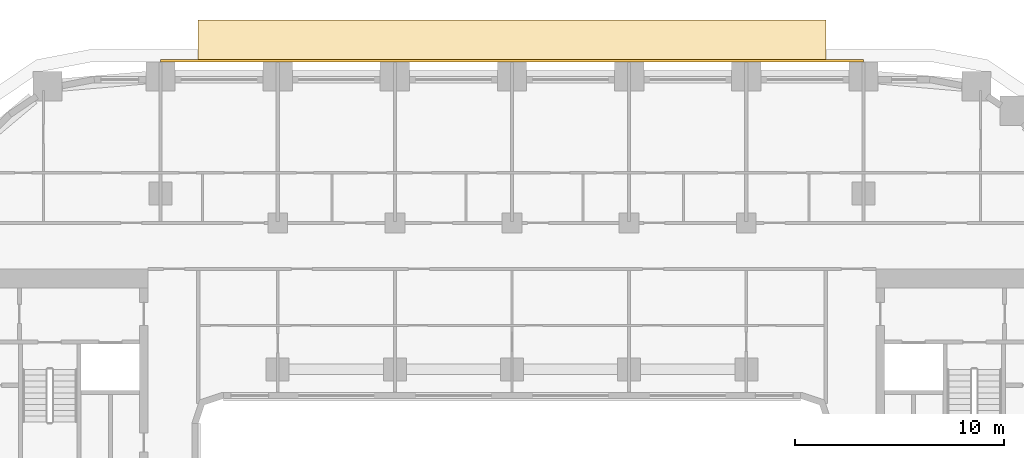
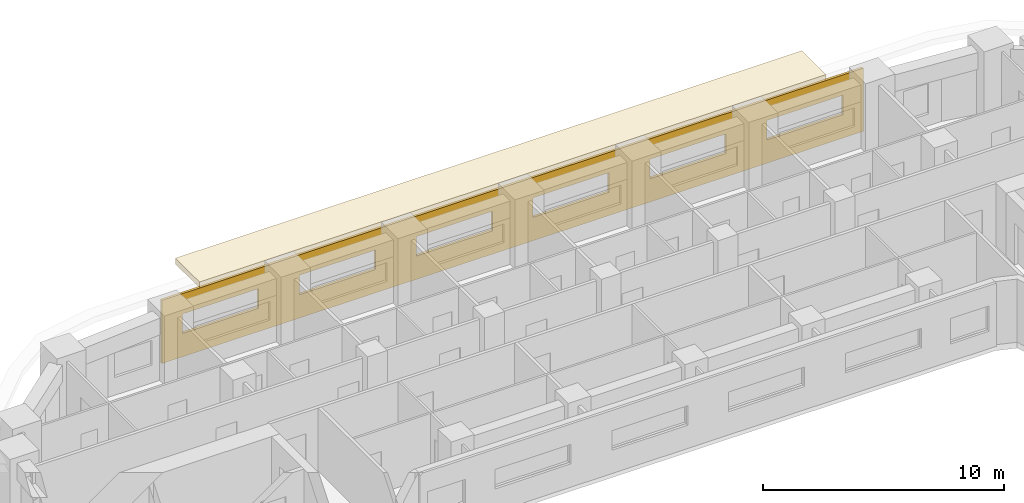
# One storey, part 21 of 22: 2 coverings.
"""IFC4 building model written with IfcOpenShell, lengths in metres."""

from ifc_helpers import new_model, si_unit, direction, frame, origin, place, context, subcontext, project, spatial, polyline, outline, extrude, material, layer, layer_set, type_object, element, save


model = new_model("IFC4")

# Units and contexts
model_context = context("Model", 3, precision=1e-05, world=origin(), true_north=direction((0.0, 1.0)))
body_context = subcontext(model_context, "Body", "Model", "MODEL_VIEW")
ifc_project = project(units=[si_unit("LENGTHUNIT", "METRE"), si_unit("AREAUNIT", "SQUARE_METRE"), si_unit("VOLUMEUNIT", "CUBIC_METRE"), si_unit("PLANEANGLEUNIT", "RADIAN"), si_unit("MASSUNIT", "GRAM", prefix="KILO")], contexts=[model_context])

# Site, building, storey
site_placement = place(None, origin())
site = spatial("IfcSite", under=ifc_project, at=site_placement, CompositionType="ELEMENT")
building_placement = place(site_placement, origin())
building = spatial("IfcBuilding", under=site, at=building_placement, Name="Kiln Ring Residences", CompositionType="ELEMENT")
storey_placement = place(building_placement, frame((0.0, 0.0, 65.5)))
storey = spatial("IfcBuildingStorey", under=building, at=storey_placement, Name="L16", CompositionType="ELEMENT", Elevation=65.5)

# Coverings
ifc_material_1 = material(Name="Brick masonry, dark clay brick", Category="masonry")
ifc_layer_1 = layer(ifc_material_1, 0.1201171875)
ifc_layer_set_1 = layer_set([ifc_layer_1], Name="RAINSCREEN PANEL 120")
covering_type_1 = type_object("IfcCoveringType", Name="RAINSCREEN PANEL 120", PredefinedType="CLADDING", material=ifc_layer_set_1)
covering_1_placement = place(storey_placement, frame((16.800048828125, 23.159912109375, 0.0), z_axis=(0.0, 0.0, 1.0), x_axis=(-1.0, 0.0, 0.0)))
element("IfcCovering", 1, at=covering_1_placement, inside=storey, type_object=covering_type_1, Name="RAINSCREEN L16", PredefinedType="CLADDING", context=body_context, shape_type="SweptSolid", body=[
    extrude(outline(polyline([(0.0, 0.0), (33.60009765625, 0.0), (33.60009765625, 3.199951171875), (0.0, 3.199951171875), (0.0, 0.0)]), holes=[polyline([(4.6201171875, 1.179931640625), (4.6201171875, 2.169921875), (0.97998046875, 2.169921875), (0.97998046875, 1.179931640625), (4.6201171875, 1.179931640625)]), polyline([(6.580078125, 1.179931640625), (10.219970703125, 1.179931640625), (10.219970703125, 2.169921875), (6.580078125, 2.169921875), (6.580078125, 1.179931640625)]), polyline([(12.179931640625, 1.179931640625), (15.820068359375, 1.179931640625), (15.820068359375, 2.169921875), (12.179931640625, 2.169921875), (12.179931640625, 1.179931640625)]), polyline([(21.419921875, 1.179931640625), (21.419921875, 2.169921875), (17.780029296875, 2.169921875), (17.780029296875, 1.179931640625), (21.419921875, 1.179931640625)]), polyline([(23.3798828125, 1.179931640625), (27.02001953125, 1.179931640625), (27.02001953125, 2.169921875), (23.3798828125, 2.169921875), (23.3798828125, 1.179931640625)]), polyline([(28.97998046875, 1.179931640625), (32.6201171875, 1.179931640625), (32.6201171875, 2.169921875), (28.97998046875, 2.169921875), (28.97998046875, 1.179931640625)])]), frame((0.0, 0.06005859375, 0.0), z_axis=(0.0, -1.0, 0.0), x_axis=(1.0, 0.0, 0.0)), (0.0, 0.0, 1.0), 0.1201171875),
])
ifc_material_2 = material(Name="Black powder-coated steel", Category="steel")
ifc_layer_2 = layer(ifc_material_2, 0.300048828125)
ifc_layer_set_2 = layer_set([ifc_layer_2], Name="SUNSHADE BAND 2000")
covering_type_2 = type_object("IfcCoveringType", Name="SUNSHADE BAND 2000", PredefinedType="CLADDING", material=ifc_layer_set_2)
covering_2_placement = place(storey_placement, frame((0.0, 0.0, 3.199951171875)))
element("IfcCovering", 2, at=covering_2_placement, inside=storey, type_object=covering_type_2, Name="SUNSHADE BAND L16", PredefinedType="CLADDING", context=body_context, shape_type="SweptSolid", body=[
    extrude(outline(polyline([(15.0, 25.10009765625), (-15.0, 25.10009765625), (-15.0, 23.10009765625), (15.0, 23.10009765625), (15.0, 25.10009765625)])), origin(), (0.0, 0.0, 1.0), 0.300048828125),
])

save(model, "model.ifc")
